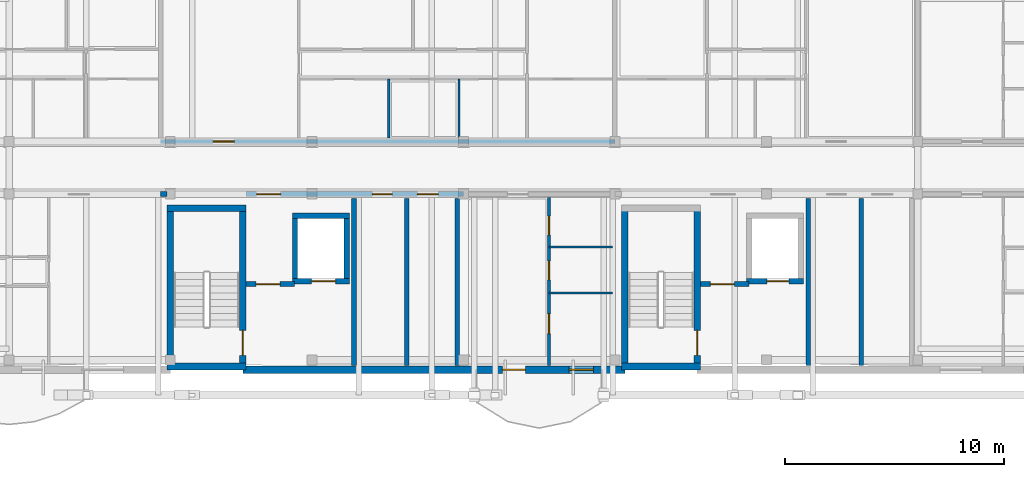
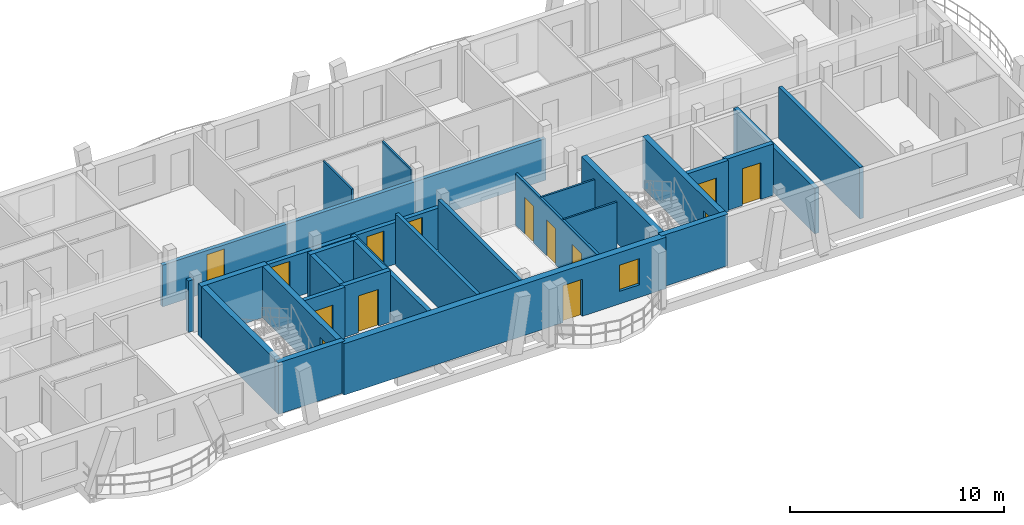
# One storey, part 34 of 52: 28 walls, 14 doors, 1 window, 15 openings.
"""IFC4 building model written with IfcOpenShell, lengths in metres."""

from ifc_helpers import new_model, si_unit, direction, frame, frame_2d, origin, origin_with_axes, place, context, subcontext, project, spatial, rectangle, extrude, material, layer, layer_set, type_object, element, fill, save


model = new_model("IFC4")

# Units and contexts
model_context = context("Model", 3, precision=1e-05, world=origin(), true_north=direction((0.0, 1.0)))
body_context = subcontext(model_context, "Body", "Model", "MODEL_VIEW")
ifc_project = project(units=[si_unit("LENGTHUNIT", "METRE"), si_unit("AREAUNIT", "SQUARE_METRE"), si_unit("VOLUMEUNIT", "CUBIC_METRE"), si_unit("PLANEANGLEUNIT", "RADIAN"), si_unit("MASSUNIT", "GRAM", prefix="KILO")], contexts=[model_context])

# Site, building, storey
site_placement = place(None, origin())
site = spatial("IfcSite", under=ifc_project, at=site_placement, CompositionType="ELEMENT")
building_placement = place(site_placement, origin())
building = spatial("IfcBuilding", under=site, at=building_placement, Name="Zavelmont Quarter", CompositionType="ELEMENT")
storey_placement = place(building_placement, frame((0.0, 0.0, 14.39990234375)))
storey = spatial("IfcBuildingStorey", under=building, at=storey_placement, Name="L04", CompositionType="ELEMENT", Elevation=14.39990234375)

# Wall, openings, door, window
ifc_material_1 = material(Name="Natural Belgian limestone", Category="masonry")
ifc_layer_1 = layer(ifc_material_1, 0.360107421875)
ifc_layer_set_1 = layer_set([ifc_layer_1], Name="Natural Belgian limestone")
wall_type_1 = type_object("IfcWallType", Name="EW02", PredefinedType="STANDARD", material=ifc_layer_set_1)
wall_1_placement = place(storey_placement, frame((130.35009765625, 97.60009765625, 0.0), z_axis=(0.0, 0.0, 1.0), x_axis=(1.0, 0.0, 0.0)))
wall_1 = element("IfcWall", 1, at=wall_1_placement, inside=storey, type_object=wall_type_1, Name="L04 exterior limestone wall EW02", PredefinedType="STANDARD", context=body_context, shape_type="SweptSolid", body=[
    extrude(rectangle(XDim=17.39990234375, YDim=0.360107421875, at=frame_2d((8.699951171875, 0.0))), origin(), (0.0, 0.0, 1.0), 2.940185546875),
])
opening_1_placement = place(wall_1_placement, frame((11.820068359375, 0.0, 0.0)))
opening_1 = element("IfcOpeningElement", 2, at=opening_1_placement, cuts=wall_1, Name="Opening DR04A", PredefinedType="OPENING", context=body_context, shape_type="SweptSolid", body=[
    extrude(rectangle(XDim=1.050048828125, YDim=2.1201171875, at=frame_2d((0.52490234375, 1.06005859375))), frame((0.0, 0.19189453125, 0.0), z_axis=(0.0, -1.0, 0.0), x_axis=(1.0, 0.0, 0.0)), (0.0, 0.0, 1.0), 0.384033203125),
])
opening_2_placement = place(wall_1_placement, frame((14.8701171875, 0.0, 0.719970703125)))
opening_2 = element("IfcOpeningElement", 3, at=opening_2_placement, cuts=wall_1, Name="Opening WN09", PredefinedType="OPENING", context=body_context, shape_type="SweptSolid", body=[
    extrude(rectangle(XDim=1.10009765625, YDim=1.5, at=frame_2d((0.550048828125, 0.75))), frame((0.0, 0.19189453125, 0.0), z_axis=(0.0, -1.0, 0.0), x_axis=(1.0, 0.0, 0.0)), (0.0, 0.0, 1.0), 0.384033203125),
])
ifc_material_2 = material(Name="Thermally broken aluminium and double safety glass", Category="aluminium")
door_type_1 = type_object("IfcDoorType", Name="DR04A", OperationType="NOTDEFINED", PredefinedType="DOOR", material=ifc_material_2)
door_1_placement = place(opening_1_placement, origin_with_axes())
door_1 = element("IfcDoor", 4, at=door_1_placement, inside=storey, type_object=door_type_1, Name="Block C L04 glazed balcony door", OperationType="SINGLE_SWING_RIGHT", OverallHeight=2.1201171875, OverallWidth=1.050048828125, PredefinedType="DOOR", context=body_context, shape_type="SweptSolid", body=[
    extrude(rectangle(XDim=1.050048828125, YDim=2.1201171875, at=frame_2d((0.52490234375, 1.06005859375))), frame((0.0, 0.02490234375, 0.0), z_axis=(0.0, -1.0, 0.0), x_axis=(1.0, 0.0, 0.0)), (0.0, 0.0, 1.0), 0.050048828125),
])
fill(opening_1, door_1)
ifc_material_3 = material(Name="Double low-E insulated glazing in thermally broken aluminium frame", Category="aluminium")
window_type = type_object("IfcWindowType", Name="WN09", PartitioningType="SINGLE_PANEL", PredefinedType="WINDOW", material=ifc_material_3)
window_placement = place(opening_2_placement, origin_with_axes())
window = element("IfcWindow", 5, at=window_placement, inside=storey, type_object=window_type, Name="L04 window WN09", OverallHeight=1.5, OverallWidth=1.10009765625, PartitioningType="SINGLE_PANEL", PredefinedType="WINDOW", context=body_context, shape_type="SweptSolid", body=[
    extrude(rectangle(XDim=1.10009765625, YDim=1.5, at=frame_2d((0.550048828125, 0.75))), frame((0.0, 0.030029296875, 0.0), z_axis=(0.0, -1.0, 0.0), x_axis=(1.0, 0.0, 0.0)), (0.0, 0.0, 1.0), 0.06005859375),
])
fill(opening_2, window)

# Walls
ifc_material_4 = material(Name="Calcium-silicate blockwork and acoustic plaster", Category="masonry")
ifc_layer_2 = layer(ifc_material_4, 0.199951171875)
ifc_layer_set_2 = layer_set([ifc_layer_2], Name="Calcium-silicate blockwork and acoustic plaster")
wall_type_2 = type_object("IfcWallType", Name="IW01", PredefinedType="PARTITIONING", material=ifc_layer_set_2)
for number, where, z_axis, x_axis, name in (
    (6, (137.824951171875, 97.800048828125, 0.0), (0.0, 0.0, 1.0), (0.0, 1.0, 0.0), "L04 Service riser divider wall IW01"),
    (7, (140.1201171875, 97.800048828125, 0.0), (0.0, 0.0, 1.0), (0.0, 1.0, 0.0), "L04 Core service end wall IW01"),
    (8, (158.52490234375, 97.800048828125, 0.0), (0.0, 0.0, 1.0), (0.0, 1.0, 0.0), "L04 Service riser divider wall IW01"),
):
    element("IfcWall", number, at=place(storey_placement, frame(where, z_axis=z_axis, x_axis=x_axis)), inside=storey, type_object=wall_type_2, Name=name, PredefinedType="PARTITIONING", context=body_context, shape_type="SweptSolid", body=[
        extrude(rectangle(XDim=7.599853515625, YDim=0.199951171875, at=frame_2d((3.7998046875, 0.0))), origin(), (0.0, 0.0, 1.0), 2.940185546875),
    ])

# Wall, opening, door
wall_2_placement = place(storey_placement, frame((126.60009765625, 108.0, 0.0), z_axis=(0.0, 0.0, 1.0), x_axis=(1.0, 0.0, 0.0)))
wall_2 = element("IfcWall", 9, at=wall_2_placement, inside=storey, type_object=wall_type_2, Name="L04 Corridor compartment wall IW01", PredefinedType="PARTITIONING", context=body_context, shape_type="SweptSolid", body=[
    extrude(rectangle(XDim=20.699951171875, YDim=0.199951171875, at=frame_2d((10.35009765625, 0.0))), origin(), (0.0, 0.0, 1.0), 2.380126953125),
])
opening_3_placement = place(wall_2_placement, frame((2.39990234375, 0.0, 0.0)))
opening_3 = element("IfcOpeningElement", 10, at=opening_3_placement, cuts=wall_2, Name="Opening DR02", PredefinedType="OPENING", context=body_context, shape_type="SweptSolid", body=[
    extrude(rectangle(XDim=0.949951171875, YDim=2.14990234375, at=frame_2d((0.47509765625, 1.074951171875))), frame((0.0, 0.11181640625, 0.0), z_axis=(0.0, -1.0, 0.0), x_axis=(1.0, 0.0, 0.0)), (0.0, 0.0, 1.0), 0.223876953125),
])
ifc_material_5 = material(Name="Solid-core oak fire leaf in steel frame", Category="steel")
door_type_2 = type_object("IfcDoorType", Name="DR02", OperationType="NOTDEFINED", PredefinedType="DOOR", material=ifc_material_5)
door_2_placement = place(opening_3_placement, origin_with_axes())
door_2 = element("IfcDoor", 11, at=door_2_placement, inside=storey, type_object=door_type_2, Name="L04 door DR02", OperationType="SINGLE_SWING_LEFT", OverallHeight=2.14990234375, OverallWidth=0.949951171875, PredefinedType="DOOR", context=body_context, shape_type="SweptSolid", body=[
    extrude(rectangle(XDim=0.949951171875, YDim=2.14990234375, at=frame_2d((0.47509765625, 1.074951171875))), frame((0.0, 0.02490234375, 0.0), z_axis=(0.0, -1.0, 0.0), x_axis=(1.0, 0.0, 0.0)), (0.0, 0.0, 1.0), 0.050048828125),
])
fill(opening_3, door_2)

# Wall
ifc_material_6 = material(Name="Reinforced masonry fire compartment wall", Category="masonry")
ifc_layer_3 = layer(ifc_material_6, 0.22509765625)
ifc_layer_set_3 = layer_set([ifc_layer_3], Name="Reinforced masonry fire compartment wall")
wall_type_3 = type_object("IfcWallType", Name="IW02", PredefinedType="PARTITIONING", material=ifc_layer_set_3)
wall_3_placement = place(storey_placement, frame((135.409912109375, 97.800048828125, 0.0), z_axis=(0.0, 0.0, 1.0), x_axis=(0.0, 1.0, 0.0)))
element("IfcWall", 12, at=wall_3_placement, inside=storey, type_object=wall_type_3, Name="L04 Firefighting lobby enclosure wall IW02", PredefinedType="PARTITIONING", context=body_context, shape_type="SweptSolid", body=[
    extrude(rectangle(XDim=7.599853515625, YDim=0.22509765625, at=frame_2d((3.7998046875, 0.0))), origin(), (0.0, 0.0, 1.0), 2.590087890625),
])

# Wall, opening, door
wall_4_placement = place(storey_placement, frame((130.5, 101.5, 0.0), z_axis=(0.0, 0.0, 1.0), x_axis=(1.0, 0.0, 0.0)))
wall_4 = element("IfcWall", 13, at=wall_4_placement, inside=storey, type_object=wall_type_3, Name="L04 Firefighting lobby threshold wall IW02", PredefinedType="PARTITIONING", context=body_context, shape_type="SweptSolid", body=[
    extrude(rectangle(XDim=2.199951171875, YDim=0.22509765625, at=frame_2d((1.10009765625, 0.0))), origin(), (0.0, 0.0, 1.0), 2.940185546875),
])
opening_4_placement = place(wall_4_placement, frame((0.449951171875, 0.0, 0.0)))
opening_4 = element("IfcOpeningElement", 14, at=opening_4_placement, cuts=wall_4, Name="Opening DR10", PredefinedType="OPENING", context=body_context, shape_type="SweptSolid", body=[
    extrude(rectangle(XDim=1.10009765625, YDim=2.14990234375, at=frame_2d((0.550048828125, 1.074951171875))), frame((0.0, 0.12451171875, 0.0), z_axis=(0.0, -1.0, 0.0), x_axis=(1.0, 0.0, 0.0)), (0.0, 0.0, 1.0), 0.2490234375),
])
ifc_material_7 = material(Name="Painted steel lobby fire door", Category="steel")
door_type_3 = type_object("IfcDoorType", Name="DR10", OperationType="NOTDEFINED", PredefinedType="DOOR", material=ifc_material_7)
door_3_placement = place(opening_4_placement, frame((1.10009765625, 0.0, 0.0), z_axis=(0.0, 0.0, 1.0), x_axis=(-1.0, 0.0, 0.0)))
door_3 = element("IfcDoor", 15, at=door_3_placement, inside=storey, type_object=door_type_3, Name="Firefighting lobby fire door", OperationType="SINGLE_SWING_RIGHT", OverallHeight=2.14990234375, OverallWidth=1.10009765625, PredefinedType="DOOR", context=body_context, shape_type="SweptSolid", body=[
    extrude(rectangle(XDim=1.10009765625, YDim=2.14990234375, at=frame_2d((0.550048828125, 1.074951171875))), frame((0.0, 0.02490234375, 0.0), z_axis=(0.0, -1.0, 0.0), x_axis=(1.0, 0.0, 0.0)), (0.0, 0.0, 1.0), 0.050048828125),
])
fill(opening_4, door_3)

# Wall
wall_5_placement = place(storey_placement, frame((126.60009765625, 105.60009765625, 0.0), z_axis=(0.0, 0.0, 1.0), x_axis=(1.0, 0.0, 0.0)))
element("IfcWall", 16, at=wall_5_placement, inside=storey, type_object=wall_type_3, Name="L04 Core corridor wall IW02", PredefinedType="PARTITIONING", context=body_context, shape_type="SweptSolid", body=[
    extrude(rectangle(XDim=0.2998046875, YDim=0.22509765625, at=frame_2d((0.14990234375, 0.0))), origin(), (0.0, 0.0, 1.0), 2.940185546875),
])

# Wall, openings, doors
wall_6_placement = place(storey_placement, frame((130.5, 105.60009765625, 0.0), z_axis=(0.0, 0.0, 1.0), x_axis=(1.0, 0.0, 0.0)))
wall_6 = element("IfcWall", 17, at=wall_6_placement, inside=storey, type_object=wall_type_3, Name="L04 Core corridor fire wall IW02", PredefinedType="PARTITIONING", context=body_context, shape_type="SweptSolid", body=[
    extrude(rectangle(XDim=9.89990234375, YDim=0.22509765625, at=frame_2d((4.949951171875, 0.0))), origin(), (0.0, 0.0, 1.0), 2.380126953125),
])
opening_5_placement = place(wall_6_placement, frame((0.47509765625, 0.0, 0.0)))
opening_5 = element("IfcOpeningElement", 18, at=opening_5_placement, cuts=wall_6, Name="Opening DR10", PredefinedType="OPENING", context=body_context, shape_type="SweptSolid", body=[
    extrude(rectangle(XDim=1.10009765625, YDim=2.14990234375, at=frame_2d((0.550048828125, 1.074951171875))), frame((0.0, 0.12451171875, 0.0), z_axis=(0.0, -1.0, 0.0), x_axis=(1.0, 0.0, 0.0)), (0.0, 0.0, 1.0), 0.2490234375),
])
opening_6_placement = place(wall_6_placement, frame((5.75, 0.0, 0.0)))
opening_6 = element("IfcOpeningElement", 19, at=opening_6_placement, cuts=wall_6, Name="Opening DR11", PredefinedType="OPENING", context=body_context, shape_type="SweptSolid", body=[
    extrude(rectangle(XDim=0.89990234375, YDim=2.10009765625, at=frame_2d((0.449951171875, 1.050048828125))), frame((0.0, 0.12451171875, 0.0), z_axis=(0.0, -1.0, 0.0), x_axis=(1.0, 0.0, 0.0)), (0.0, 0.0, 1.0), 0.2490234375),
])
opening_7_placement = place(wall_6_placement, frame((7.800048828125, 0.0, 0.0)))
opening_7 = element("IfcOpeningElement", 20, at=opening_7_placement, cuts=wall_6, Name="Opening DR02", PredefinedType="OPENING", context=body_context, shape_type="SweptSolid", body=[
    extrude(rectangle(XDim=0.949951171875, YDim=2.14990234375, at=frame_2d((0.47509765625, 1.074951171875))), frame((0.0, 0.12451171875, 0.0), z_axis=(0.0, -1.0, 0.0), x_axis=(1.0, 0.0, 0.0)), (0.0, 0.0, 1.0), 0.2490234375),
])
door_4_placement = place(opening_7_placement, origin_with_axes())
door_4 = element("IfcDoor", 21, at=door_4_placement, inside=storey, type_object=door_type_2, Name="Auxiliary store corridor door", OperationType="SINGLE_SWING_RIGHT", OverallHeight=2.14990234375, OverallWidth=0.949951171875, PredefinedType="DOOR", context=body_context, shape_type="SweptSolid", body=[
    extrude(rectangle(XDim=0.949951171875, YDim=2.14990234375, at=frame_2d((0.47509765625, 1.074951171875))), frame((0.0, 0.02490234375, 0.0), z_axis=(0.0, -1.0, 0.0), x_axis=(1.0, 0.0, 0.0)), (0.0, 0.0, 1.0), 0.050048828125),
])
fill(opening_7, door_4)
door_5_placement = place(opening_5_placement, frame((1.10009765625, 0.0, 0.0), z_axis=(0.0, 0.0, 1.0), x_axis=(-1.0, 0.0, 0.0)))
door_5 = element("IfcDoor", 22, at=door_5_placement, inside=storey, type_object=door_type_3, Name="Core vestibule fire door", OperationType="SINGLE_SWING_LEFT", OverallHeight=2.14990234375, OverallWidth=1.10009765625, PredefinedType="DOOR", context=body_context, shape_type="SweptSolid", body=[
    extrude(rectangle(XDim=1.10009765625, YDim=2.14990234375, at=frame_2d((0.550048828125, 1.074951171875))), frame((0.0, 0.02490234375, 0.0), z_axis=(0.0, -1.0, 0.0), x_axis=(1.0, 0.0, 0.0)), (0.0, 0.0, 1.0), 0.050048828125),
])
fill(opening_5, door_5)
ifc_material_8 = material(Name="Painted steel service-riser fire door", Category="steel")
door_type_4 = type_object("IfcDoorType", Name="DR11", OperationType="NOTDEFINED", PredefinedType="DOOR", material=ifc_material_8)
door_6_placement = place(opening_6_placement, origin_with_axes())
door_6 = element("IfcDoor", 23, at=door_6_placement, inside=storey, type_object=door_type_4, Name="Service riser fire door", OperationType="SINGLE_SWING_LEFT", OverallHeight=2.10009765625, OverallWidth=0.89990234375, PredefinedType="DOOR", context=body_context, shape_type="SweptSolid", body=[
    extrude(rectangle(XDim=0.89990234375, YDim=2.10009765625, at=frame_2d((0.449951171875, 1.050048828125))), frame((0.0, 0.02490234375, 0.0), z_axis=(0.0, -1.0, 0.0), x_axis=(1.0, 0.0, 0.0)), (0.0, 0.0, 1.0), 0.050048828125),
])
fill(opening_6, door_6)

# Wall
wall_7_placement = place(storey_placement, frame((156.110107421875, 97.800048828125, 0.0), z_axis=(0.0, 0.0, 1.0), x_axis=(0.0, 1.0, 0.0)))
element("IfcWall", 24, at=wall_7_placement, inside=storey, type_object=wall_type_3, Name="L04 Firefighting lobby enclosure wall IW02", PredefinedType="PARTITIONING", context=body_context, shape_type="SweptSolid", body=[
    extrude(rectangle(XDim=7.599853515625, YDim=0.22509765625, at=frame_2d((3.7998046875, 0.0))), origin(), (0.0, 0.0, 1.0), 2.590087890625),
])

# Wall, opening, door
wall_8_placement = place(storey_placement, frame((151.199951171875, 101.5, 0.0), z_axis=(0.0, 0.0, 1.0), x_axis=(1.0, 0.0, 0.0)))
wall_8 = element("IfcWall", 25, at=wall_8_placement, inside=storey, type_object=wall_type_3, Name="L04 Firefighting lobby threshold wall IW02", PredefinedType="PARTITIONING", context=body_context, shape_type="SweptSolid", body=[
    extrude(rectangle(XDim=2.199951171875, YDim=0.22509765625, at=frame_2d((1.10009765625, 0.0))), origin(), (0.0, 0.0, 1.0), 2.940185546875),
])
opening_8_placement = place(wall_8_placement, frame((0.449951171875, 0.0, 0.0)))
opening_8 = element("IfcOpeningElement", 26, at=opening_8_placement, cuts=wall_8, Name="Opening DR10", PredefinedType="OPENING", context=body_context, shape_type="SweptSolid", body=[
    extrude(rectangle(XDim=1.10009765625, YDim=2.14990234375, at=frame_2d((0.550048828125, 1.074951171875))), frame((0.0, 0.12451171875, 0.0), z_axis=(0.0, -1.0, 0.0), x_axis=(1.0, 0.0, 0.0)), (0.0, 0.0, 1.0), 0.2490234375),
])
door_7_placement = place(opening_8_placement, frame((1.10009765625, 0.0, 0.0), z_axis=(0.0, 0.0, 1.0), x_axis=(-1.0, 0.0, 0.0)))
door_7 = element("IfcDoor", 27, at=door_7_placement, inside=storey, type_object=door_type_3, Name="Firefighting lobby fire door", OperationType="SINGLE_SWING_LEFT", OverallHeight=2.14990234375, OverallWidth=1.10009765625, PredefinedType="DOOR", context=body_context, shape_type="SweptSolid", body=[
    extrude(rectangle(XDim=1.10009765625, YDim=2.14990234375, at=frame_2d((0.550048828125, 1.074951171875))), frame((0.0, 0.02490234375, 0.0), z_axis=(0.0, -1.0, 0.0), x_axis=(1.0, 0.0, 0.0)), (0.0, 0.0, 1.0), 0.050048828125),
])
fill(opening_8, door_7)

# Wall, openings, doors
ifc_material_9 = material(Name="Double gypsum board on acoustic steel stud", Category="steel")
ifc_layer_4 = layer(ifc_material_9, 0.125)
ifc_layer_set_4 = layer_set([ifc_layer_4], Name="Double gypsum board on acoustic steel stud")
wall_type_4 = type_object("IfcWallType", Name="IW03", PredefinedType="PARTITIONING", material=ifc_layer_set_4)
wall_9_placement = place(storey_placement, frame((144.300048828125, 105.449951171875, 0.0), z_axis=(0.0, 0.0, 1.0), x_axis=(0.0, -1.0, 0.0)))
wall_9 = element("IfcWall", 28, at=wall_9_placement, inside=storey, type_object=wall_type_4, Name="L04 Partition IW03", PredefinedType="PARTITIONING", context=body_context, shape_type="SweptSolid", body=[
    extrude(rectangle(XDim=7.64990234375, YDim=0.125, at=frame_2d((3.824951171875, 0.0))), origin(), (0.0, 0.0, 1.0), 2.940185546875),
])
opening_9_placement = place(wall_9_placement, frame((0.85009765625, 0.0, 0.0)))
opening_9 = element("IfcOpeningElement", 29, at=opening_9_placement, cuts=wall_9, Name="Opening DR16", PredefinedType="OPENING", context=body_context, shape_type="SweptSolid", body=[
    extrude(rectangle(XDim=0.85009765625, YDim=2.10009765625, at=frame_2d((0.425048828125, 1.050048828125))), frame((0.0, 0.074462890625, 0.0), z_axis=(0.0, -1.0, 0.0), x_axis=(1.0, 0.0, 0.0)), (0.0, 0.0, 1.0), 0.14892578125),
])
opening_10_placement = place(wall_9_placement, frame((2.89990234375, 0.0, 0.0)))
opening_10 = element("IfcOpeningElement", 30, at=opening_10_placement, cuts=wall_9, Name="Opening DR06", PredefinedType="OPENING", context=body_context, shape_type="SweptSolid", body=[
    extrude(rectangle(XDim=0.85009765625, YDim=2.050048828125, at=frame_2d((0.425048828125, 1.02490234375))), frame((0.0, 0.074462890625, 0.0), z_axis=(0.0, -1.0, 0.0), x_axis=(1.0, 0.0, 0.0)), (0.0, 0.0, 1.0), 0.14892578125),
])
opening_11_placement = place(wall_9_placement, frame((5.300048828125, 0.0, 0.0)))
opening_11 = element("IfcOpeningElement", 31, at=opening_11_placement, cuts=wall_9, Name="Opening DR05", PredefinedType="OPENING", context=body_context, shape_type="SweptSolid", body=[
    extrude(rectangle(XDim=0.89990234375, YDim=2.10009765625, at=frame_2d((0.449951171875, 1.050048828125))), frame((0.0, 0.074462890625, 0.0), z_axis=(0.0, -1.0, 0.0), x_axis=(1.0, 0.0, 0.0)), (0.0, 0.0, 1.0), 0.14892578125),
])
ifc_material_10 = material(Name="Engineered oak flush interior door")
door_type_5 = type_object("IfcDoorType", Name="DR05", OperationType="NOTDEFINED", PredefinedType="DOOR", material=ifc_material_10)
door_8_placement = place(opening_11_placement, origin_with_axes())
door_8 = element("IfcDoor", 32, at=door_8_placement, inside=storey, type_object=door_type_5, Name="L04 door DR05", OperationType="SINGLE_SWING_LEFT", OverallHeight=2.10009765625, OverallWidth=0.89990234375, PredefinedType="DOOR", context=body_context, shape_type="SweptSolid", body=[
    extrude(rectangle(XDim=0.89990234375, YDim=2.10009765625, at=frame_2d((0.449951171875, 1.050048828125))), frame((0.0, 0.02490234375, 0.0), z_axis=(0.0, -1.0, 0.0), x_axis=(1.0, 0.0, 0.0)), (0.0, 0.0, 1.0), 0.050048828125),
])
fill(opening_11, door_8)
ifc_material_11 = material(Name="Moisture-resistant painted wet-room door")
door_type_6 = type_object("IfcDoorType", Name="DR06", OperationType="NOTDEFINED", PredefinedType="DOOR", material=ifc_material_11)
door_9_placement = place(opening_10_placement, frame((0.85009765625, 0.0, 0.0), z_axis=(0.0, 0.0, 1.0), x_axis=(-1.0, 0.0, 0.0)))
door_9 = element("IfcDoor", 33, at=door_9_placement, inside=storey, type_object=door_type_6, Name="L04 door DR06", OperationType="SINGLE_SWING_RIGHT", OverallHeight=2.050048828125, OverallWidth=0.85009765625, PredefinedType="DOOR", context=body_context, shape_type="SweptSolid", body=[
    extrude(rectangle(XDim=0.85009765625, YDim=2.050048828125, at=frame_2d((0.425048828125, 1.02490234375))), frame((0.0, 0.02490234375, 0.0), z_axis=(0.0, -1.0, 0.0), x_axis=(1.0, 0.0, 0.0)), (0.0, 0.0, 1.0), 0.050048828125),
])
fill(opening_10, door_9)
door_type_7 = type_object("IfcDoorType", Name="DR16", OperationType="NOTDEFINED", PredefinedType="DOOR", material=ifc_material_10)
door_10_placement = place(opening_9_placement, origin_with_axes())
door_10 = element("IfcDoor", 34, at=door_10_placement, inside=storey, type_object=door_type_7, Name="L04 door DR16", OperationType="SINGLE_SWING_LEFT", OverallHeight=2.10009765625, OverallWidth=0.85009765625, PredefinedType="DOOR", context=body_context, shape_type="SweptSolid", body=[
    extrude(rectangle(XDim=0.85009765625, YDim=2.10009765625, at=frame_2d((0.425048828125, 1.050048828125))), frame((0.0, 0.02490234375, 0.0), z_axis=(0.0, -1.0, 0.0), x_axis=(1.0, 0.0, 0.0)), (0.0, 0.0, 1.0), 0.050048828125),
])
fill(opening_9, door_10)

# Walls
ifc_material_12 = material(Name="Moisture-resistant gypsum board on steel stud", Category="steel")
ifc_layer_5 = layer(ifc_material_12, 0.10009765625)
ifc_layer_set_5 = layer_set([ifc_layer_5], Name="Moisture-resistant gypsum board on steel stud")
wall_type_5 = type_object("IfcWallType", Name="IW04", PredefinedType="PARTITIONING", material=ifc_layer_set_5)
for number, where, z_axis, x_axis, name in (
    (35, (137.0, 108.14990234375, 0.0), (0.0, 0.0, 1.0), (0.0, 1.0, 0.0), "L04 Partition IW04"),
    (36, (140.199951171875, 108.14990234375, 0.0), (0.0, 0.0, 1.0), (0.0, 1.0, 0.0), "L04 Partition IW04"),
):
    element("IfcWall", number, at=place(storey_placement, frame(where, z_axis=z_axis, x_axis=x_axis)), inside=storey, type_object=wall_type_5, Name=name, PredefinedType="PARTITIONING", context=body_context, shape_type="SweptSolid", body=[
        extrude(rectangle(XDim=2.7001953125, YDim=0.10009765625, at=frame_2d((1.35009765625, 0.0))), origin(), (0.0, 0.0, 1.0), 2.940185546875),
    ])
for number, where, z_axis, x_axis, name in (
    (37, (144.300048828125, 103.199951171875, 0.0), (0.0, 0.0, 1.0), (1.0, 0.0, 0.0), "L04 Partition IW04"),
    (38, (144.300048828125, 101.10009765625, 0.0), (0.0, 0.0, 1.0), (1.0, 0.0, 0.0), "L04 Partition IW04"),
):
    element("IfcWall", number, at=place(storey_placement, frame(where, z_axis=z_axis, x_axis=x_axis)), inside=storey, type_object=wall_type_5, Name=name, PredefinedType="PARTITIONING", context=body_context, shape_type="SweptSolid", body=[
        extrude(rectangle(XDim=2.89990234375, YDim=0.10009765625, at=frame_2d((1.449951171875, 0.0))), origin(), (0.0, 0.0, 1.0), 2.940185546875),
    ])
ifc_material_13 = material(Name="Concrete C40/50", Category="concrete")
ifc_layer_6 = layer(ifc_material_13, 0.300048828125)
ifc_layer_set_6 = layer_set([ifc_layer_6], Name="Concrete C40/50")
wall_type_6 = type_object("IfcWallType", Name="SW01", PredefinedType="SHEAR", material=ifc_layer_set_6)
wall_10_placement = place(storey_placement, frame((126.89990234375, 104.949951171875, 0.0), z_axis=(0.0, 0.0, 1.0), x_axis=(1.0, 0.0, 0.0)))
element("IfcWall", 39, at=wall_10_placement, inside=storey, type_object=wall_type_6, Name="L04 ST05 corridor shear wall SW01", PredefinedType="SHEAR", context=body_context, shape_type="SweptSolid", body=[
    extrude(rectangle(XDim=3.60009765625, YDim=0.300048828125, at=frame_2d((1.800048828125, 0.0))), origin(), (0.0, 0.0, 1.0), 2.940185546875),
])
wall_11_placement = place(storey_placement, frame((127.050048828125, 97.60009765625, 0.0), z_axis=(0.0, 0.0, 1.0), x_axis=(0.0, 1.0, 0.0)))
element("IfcWall", 40, at=wall_11_placement, inside=storey, type_object=wall_type_6, Name="L04 ST05 west shear wall SW01", PredefinedType="SHEAR", context=body_context, shape_type="SweptSolid", body=[
    extrude(rectangle(XDim=7.5, YDim=0.300048828125, at=frame_2d((3.75, 0.0))), origin(), (0.0, 0.0, 1.0), 2.940185546875),
])

# Wall, opening, door
wall_12_placement = place(storey_placement, frame((130.35009765625, 97.60009765625, 0.0), z_axis=(0.0, 0.0, 1.0), x_axis=(0.0, 1.0, 0.0)))
wall_12 = element("IfcWall", 41, at=wall_12_placement, inside=storey, type_object=wall_type_6, Name="L04 ST05 lobby shear wall SW01", PredefinedType="SHEAR", context=body_context, shape_type="SweptSolid", body=[
    extrude(rectangle(XDim=7.5, YDim=0.300048828125, at=frame_2d((3.75, 0.0))), origin(), (0.0, 0.0, 1.0), 2.940185546875),
])
opening_12_placement = place(wall_12_placement, frame((0.64990234375, 0.0, 0.0)))
opening_12 = element("IfcOpeningElement", 42, at=opening_12_placement, cuts=wall_12, Name="Opening DR09", PredefinedType="OPENING", context=body_context, shape_type="SweptSolid", body=[
    extrude(rectangle(XDim=1.14990234375, YDim=2.14990234375, at=frame_2d((0.574951171875, 1.074951171875))), frame((0.0, 0.162109375, 0.0), z_axis=(0.0, -1.0, 0.0), x_axis=(1.0, 0.0, 0.0)), (0.0, 0.0, 1.0), 0.323974609375),
])
ifc_material_14 = material(Name="Painted steel stair-core fire door", Category="steel")
door_type_8 = type_object("IfcDoorType", Name="DR09", OperationType="NOTDEFINED", PredefinedType="DOOR", material=ifc_material_14)
door_11_placement = place(opening_12_placement, origin_with_axes())
door_11 = element("IfcDoor", 43, at=door_11_placement, inside=storey, type_object=door_type_8, Name="ST05 protected stair door", OperationType="SINGLE_SWING_RIGHT", OverallHeight=2.14990234375, OverallWidth=1.14990234375, PredefinedType="DOOR", context=body_context, shape_type="SweptSolid", body=[
    extrude(rectangle(XDim=1.14990234375, YDim=2.14990234375, at=frame_2d((0.574951171875, 1.074951171875))), frame((0.0, 0.02490234375, 0.0), z_axis=(0.0, -1.0, 0.0), x_axis=(1.0, 0.0, 0.0)), (0.0, 0.0, 1.0), 0.050048828125),
])
fill(opening_12, door_11)

# Wall
wall_13_placement = place(storey_placement, frame((147.75, 97.60009765625, 0.0), z_axis=(0.0, 0.0, 1.0), x_axis=(0.0, 1.0, 0.0)))
element("IfcWall", 44, at=wall_13_placement, inside=storey, type_object=wall_type_6, Name="L04 ST06 west shear wall SW01", PredefinedType="SHEAR", context=body_context, shape_type="SweptSolid", body=[
    extrude(rectangle(XDim=7.5, YDim=0.300048828125, at=frame_2d((3.75, 0.0))), origin(), (0.0, 0.0, 1.0), 2.940185546875),
])

# Wall, opening, door
wall_14_placement = place(storey_placement, frame((151.050048828125, 97.60009765625, 0.0), z_axis=(0.0, 0.0, 1.0), x_axis=(0.0, 1.0, 0.0)))
wall_14 = element("IfcWall", 45, at=wall_14_placement, inside=storey, type_object=wall_type_6, Name="L04 ST06 lobby shear wall SW01", PredefinedType="SHEAR", context=body_context, shape_type="SweptSolid", body=[
    extrude(rectangle(XDim=7.5, YDim=0.300048828125, at=frame_2d((3.75, 0.0))), origin(), (0.0, 0.0, 1.0), 2.940185546875),
])
opening_13_placement = place(wall_14_placement, frame((0.64990234375, 0.0, 0.0)))
opening_13 = element("IfcOpeningElement", 46, at=opening_13_placement, cuts=wall_14, Name="Opening DR09", PredefinedType="OPENING", context=body_context, shape_type="SweptSolid", body=[
    extrude(rectangle(XDim=1.14990234375, YDim=2.14990234375, at=frame_2d((0.574951171875, 1.074951171875))), frame((0.0, 0.162109375, 0.0), z_axis=(0.0, -1.0, 0.0), x_axis=(1.0, 0.0, 0.0)), (0.0, 0.0, 1.0), 0.323974609375),
])
door_12_placement = place(opening_13_placement, origin_with_axes())
door_12 = element("IfcDoor", 47, at=door_12_placement, inside=storey, type_object=door_type_8, Name="ST06 protected stair door", OperationType="SINGLE_SWING_RIGHT", OverallHeight=2.14990234375, OverallWidth=1.14990234375, PredefinedType="DOOR", context=body_context, shape_type="SweptSolid", body=[
    extrude(rectangle(XDim=1.14990234375, YDim=2.14990234375, at=frame_2d((0.574951171875, 1.074951171875))), frame((0.0, 0.02490234375, 0.0), z_axis=(0.0, -1.0, 0.0), x_axis=(1.0, 0.0, 0.0)), (0.0, 0.0, 1.0), 0.050048828125),
])
fill(opening_13, door_12)

ifc_layer_7 = layer(ifc_material_13, 0.25)
ifc_layer_set_7 = layer_set([ifc_layer_7], Name="Concrete C40/50")
wall_type_7 = type_object("IfcWallType", Name="SW02", PredefinedType="SHEAR", material=ifc_layer_set_7)
wall_15_placement = place(storey_placement, frame((132.60009765625, 101.625, 0.0), z_axis=(0.0, 0.0, 1.0), x_axis=(1.0, 0.0, 0.0)))
wall_15 = element("IfcWall", 48, at=wall_15_placement, inside=storey, type_object=wall_type_7, Name="L04 Lift FL03 landing shaft wall SW02", PredefinedType="SHEAR", context=body_context, shape_type="SweptSolid", body=[
    extrude(rectangle(XDim=2.599853515625, YDim=0.25, at=frame_2d((1.2998046875, 0.0))), origin(), (0.0, 0.0, 1.0), 2.940185546875),
])
opening_14_placement = place(wall_15_placement, frame((0.875, 0.0, 0.0)))
opening_14 = element("IfcOpeningElement", 49, at=opening_14_placement, cuts=wall_15, Name="Opening LD02", PredefinedType="OPENING", context=body_context, shape_type="SweptSolid", body=[
    extrude(rectangle(XDim=1.10009765625, YDim=2.10009765625, at=frame_2d((0.550048828125, 1.050048828125))), frame((0.0, 0.136962890625, 0.0), z_axis=(0.0, -1.0, 0.0), x_axis=(1.0, 0.0, 0.0)), (0.0, 0.0, 1.0), 0.27392578125),
])
ifc_material_15 = material(Name="Brushed stainless-steel firefighting lift landing door", Category="steel")
door_type_9 = type_object("IfcDoorType", Name="LD02", OperationType="SLIDING_TO_LEFT", PredefinedType="DOOR", material=ifc_material_15)
door_13_placement = place(opening_14_placement, origin_with_axes())
door_13 = element("IfcDoor", 50, at=door_13_placement, inside=storey, type_object=door_type_9, Name="Lift FL03 sliding landing door", OperationType="SLIDING_TO_LEFT", OverallHeight=2.10009765625, OverallWidth=1.10009765625, PredefinedType="DOOR", context=body_context, shape_type="SweptSolid", body=[
    extrude(rectangle(XDim=1.10009765625, YDim=2.10009765625, at=frame_2d((0.550048828125, 1.050048828125))), frame((0.0, 0.02490234375, 0.0), z_axis=(0.0, -1.0, 0.0), x_axis=(1.0, 0.0, 0.0)), (0.0, 0.0, 1.0), 0.050048828125),
])
fill(opening_14, door_13)

# Walls
wall_16_placement = place(storey_placement, frame((132.60009765625, 104.625, 0.0), z_axis=(0.0, 0.0, 1.0), x_axis=(1.0, 0.0, 0.0)))
element("IfcWall", 51, at=wall_16_placement, inside=storey, type_object=wall_type_7, Name="L04 Lift FL03 back shaft wall SW02", PredefinedType="SHEAR", context=body_context, shape_type="SweptSolid", body=[
    extrude(rectangle(XDim=2.599853515625, YDim=0.25, at=frame_2d((1.2998046875, 0.0))), origin(), (0.0, 0.0, 1.0), 2.940185546875),
])
for number, where, z_axis, x_axis, name in (
    (52, (132.72509765625, 101.5, 0.0), (0.0, 0.0, 1.0), (0.0, 1.0, 0.0), "L04 Lift FL03 west shaft wall SW02"),
    (53, (135.074951171875, 101.5, 0.0), (0.0, 0.0, 1.0), (0.0, 1.0, 0.0), "L04 Lift FL03 east shaft wall SW02"),
):
    element("IfcWall", number, at=place(storey_placement, frame(where, z_axis=z_axis, x_axis=x_axis)), inside=storey, type_object=wall_type_7, Name=name, PredefinedType="SHEAR", context=body_context, shape_type="SweptSolid", body=[
        extrude(rectangle(XDim=3.25, YDim=0.25, at=frame_2d((1.625, 0.0))), origin(), (0.0, 0.0, 1.0), 2.940185546875),
    ])

# Wall, opening, door
wall_17_placement = place(storey_placement, frame((153.300048828125, 101.625, 0.0), z_axis=(0.0, 0.0, 1.0), x_axis=(1.0, 0.0, 0.0)))
wall_17 = element("IfcWall", 54, at=wall_17_placement, inside=storey, type_object=wall_type_7, Name="L04 Lift LF06 landing shaft wall SW02", PredefinedType="SHEAR", context=body_context, shape_type="SweptSolid", body=[
    extrude(rectangle(XDim=2.599853515625, YDim=0.25, at=frame_2d((1.2998046875, 0.0))), origin(), (0.0, 0.0, 1.0), 2.940185546875),
])
opening_15_placement = place(wall_17_placement, frame((0.925048828125, 0.0, 0.0)))
opening_15 = element("IfcOpeningElement", 55, at=opening_15_placement, cuts=wall_17, Name="Opening LD01", PredefinedType="OPENING", context=body_context, shape_type="SweptSolid", body=[
    extrude(rectangle(XDim=1.0, YDim=2.10009765625, at=frame_2d((0.5, 1.050048828125))), frame((0.0, 0.136962890625, 0.0), z_axis=(0.0, -1.0, 0.0), x_axis=(1.0, 0.0, 0.0)), (0.0, 0.0, 1.0), 0.27392578125),
])
ifc_material_16 = material(Name="Brushed stainless-steel automatic sliding landing door", Category="steel")
door_type_10 = type_object("IfcDoorType", Name="LD01", OperationType="SLIDING_TO_LEFT", PredefinedType="DOOR", material=ifc_material_16)
door_14_placement = place(opening_15_placement, origin_with_axes())
door_14 = element("IfcDoor", 56, at=door_14_placement, inside=storey, type_object=door_type_10, Name="Lift LF06 sliding landing door", OperationType="SLIDING_TO_LEFT", OverallHeight=2.10009765625, OverallWidth=1.0, PredefinedType="DOOR", context=body_context, shape_type="SweptSolid", body=[
    extrude(rectangle(XDim=1.0, YDim=2.10009765625, at=frame_2d((0.5, 1.050048828125))), frame((0.0, 0.02490234375, 0.0), z_axis=(0.0, -1.0, 0.0), x_axis=(1.0, 0.0, 0.0)), (0.0, 0.0, 1.0), 0.050048828125),
])
fill(opening_15, door_14)

# Walls
ifc_layer_8 = layer(ifc_material_13, 0.300048828125)
ifc_layer_set_8 = layer_set([ifc_layer_8], Name="Concrete C40/50")
wall_type_8 = type_object("IfcWallType", Name="SW03", PredefinedType="SHEAR", material=ifc_layer_set_8)
wall_18_placement = place(storey_placement, frame((126.89990234375, 97.75, 0.0), z_axis=(0.0, 0.0, 1.0), x_axis=(1.0, 0.0, 0.0)))
element("IfcWall", 57, at=wall_18_placement, inside=storey, type_object=wall_type_8, Name="L04 ST05 outer shear wall SW03", PredefinedType="SHEAR", context=body_context, shape_type="SweptSolid", body=[
    extrude(rectangle(XDim=3.60009765625, YDim=0.300048828125, at=frame_2d((1.800048828125, 0.0))), origin(), (0.0, 0.0, 1.0), 2.940185546875),
])
wall_19_placement = place(storey_placement, frame((147.60009765625, 97.75, 0.0), z_axis=(0.0, 0.0, 1.0), x_axis=(1.0, 0.0, 0.0)))
element("IfcWall", 58, at=wall_19_placement, inside=storey, type_object=wall_type_8, Name="L04 ST06 outer shear wall SW03", PredefinedType="SHEAR", context=body_context, shape_type="SweptSolid", body=[
    extrude(rectangle(XDim=3.599853515625, YDim=0.300048828125, at=frame_2d((1.7998046875, 0.0))), origin(), (0.0, 0.0, 1.0), 2.940185546875),
])

save(model, "model.ifc")
